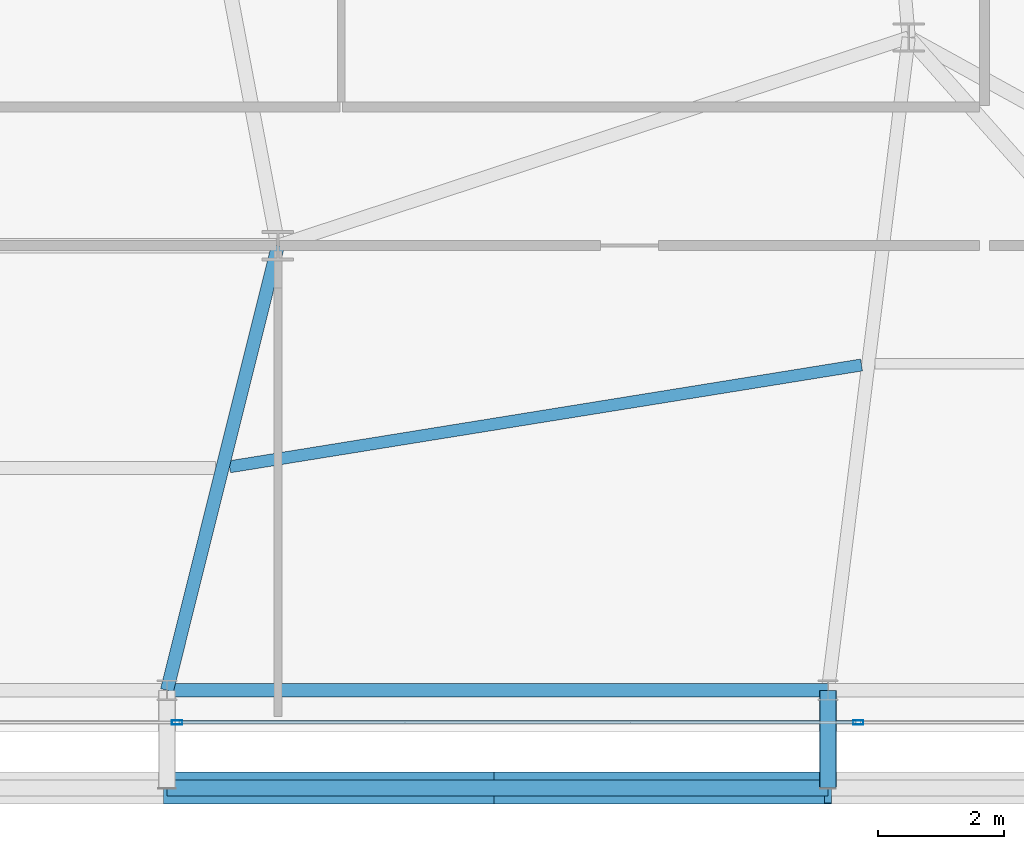
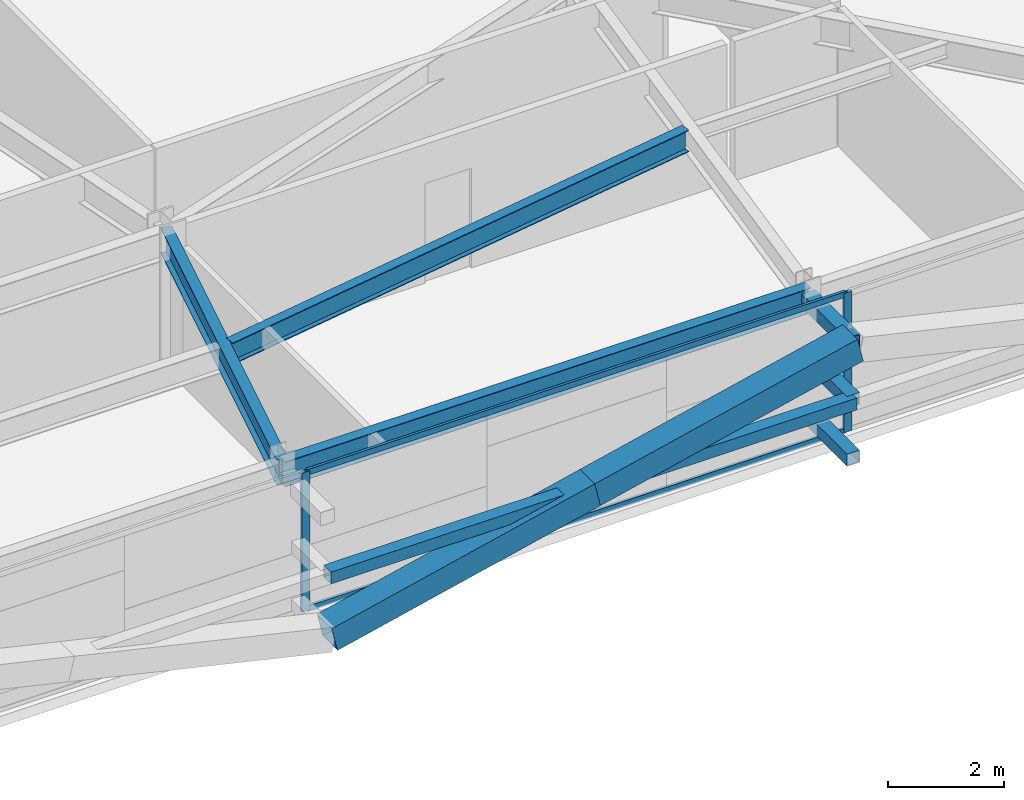
# One storey, part 13 of 44: 10 members, 3 beams, 1 element without a shape of its own.
"""IFC4 building model written with IfcOpenShell, lengths in metres."""

from ifc_helpers import new_model, si_unit, direction, frame, origin, origin_2d, place, context, subcontext, project, spatial, hollow_rectangle, i_section, extrude, source, transform, mapped, material, layer, layer_set, material_profile, profile_set, type_object, element, aggregate, save


model = new_model("IFC4")

# Units and contexts
model_context = context("Model", 3, precision=1e-05, world=origin(), true_north=direction((0.0, 1.0)))
body_context = subcontext(model_context, "Body", "Model", "MODEL_VIEW")
ifc_project = project(units=[si_unit("LENGTHUNIT", "METRE"), si_unit("AREAUNIT", "SQUARE_METRE"), si_unit("VOLUMEUNIT", "CUBIC_METRE"), si_unit("PLANEANGLEUNIT", "RADIAN"), si_unit("MASSUNIT", "GRAM", prefix="KILO")], contexts=[model_context])

# Site, building, storey
site_placement = place(None, origin())
site = spatial("IfcSite", under=ifc_project, at=site_placement, CompositionType="ELEMENT")
building_placement = place(site_placement, origin())
building = spatial("IfcBuilding", under=site, at=building_placement, Name="Taldren Reach Tower", CompositionType="ELEMENT")
storey_placement = place(building_placement, frame((0.0, 0.0, 38.85009765625)))
storey = spatial("IfcBuildingStorey", under=building, at=storey_placement, Name="L11", CompositionType="ELEMENT", Elevation=38.85009765625)

# Beams
ifc_material_1 = material(Name="Steel Gr 350 (350PLUS)", Category="steel")
ifc_material_profile_1 = material_profile(ifc_material_1, i_section(OverallWidth=0.208984375, OverallDepth=0.528076171875, WebThickness=0.009521484375, FlangeThickness=0.01318359375, at=origin_2d()), Name="530UB82.0")
ifc_profile_set_1 = profile_set([ifc_material_profile_1], Name="Steel Gr 350 (350PLUS)")
beam_type_1 = type_object("IfcBeamType", Name="SP-UB530B", PredefinedType="SPANDREL", material=ifc_profile_set_1)
shared_shape_1 = source(origin(), body_context, "Body", "SweptSolid", [
    extrude(i_section(OverallWidth=0.208984375, OverallDepth=0.528076171875, WebThickness=0.009521484375, FlangeThickness=0.01318359375, at=origin_2d()), origin(), (0.0, 0.0, 1.0), 10.47998046875),
])
beam_1_placement = place(storey_placement, frame((40.239990234375, 2.14990234375, 2.666015625), z_axis=(1.0, 0.0, 0.0), x_axis=(0.0, 1.0, 0.0)))
element("IfcBeam", 1, at=beam_1_placement, inside=storey, type_object=beam_type_1, Name="Perimeter spandrel B1 S4-S5 L11", PredefinedType="SPANDREL", context=body_context, shape_type="MappedRepresentation", body=[
    mapped(shared_shape_1, transform((0.0, 0.0, 0.0), scale=1.0)),
])
ifc_material_profile_2 = material_profile(ifc_material_1, i_section(OverallWidth=0.208984375, OverallDepth=0.532958984375, WebThickness=0.01025390625, FlangeThickness=0.015625, at=origin_2d()), Name="530UB92.4")
ifc_profile_set_2 = profile_set([ifc_material_profile_2], Name="Steel Gr 350 (350PLUS)")
beam_type_2 = type_object("IfcBeamType", Name="BM-UB530A", PredefinedType="BEAM", material=ifc_profile_set_2)
shared_shape_2 = source(origin(), body_context, "Body", "SweptSolid", [
    extrude(i_section(OverallWidth=0.208984375, OverallDepth=0.532958984375, WebThickness=0.01025390625, FlangeThickness=0.015625, at=origin_2d()), origin(), (0.0, 0.0, 1.0), 7.266357421875),
])
beam_2_placement = place(storey_placement, frame((42.0, 9.199951171875, 2.663330078125), z_axis=(-0.24221148493, -0.970223477642, 0.0), x_axis=(0.970223477642, -0.24221148493, 0.0)))
element("IfcBeam", 2, at=beam_2_placement, inside=storey, type_object=beam_type_2, Name="Primary floor girder B1-S4 L11", PredefinedType="BEAM", context=body_context, shape_type="MappedRepresentation", body=[
    mapped(shared_shape_2, transform((0.0, 0.0, 0.0), scale=1.0)),
])
ifc_material_profile_3 = material_profile(ifc_material_1, i_section(OverallWidth=0.19091796875, OverallDepth=0.4599609375, WebThickness=0.010009765625, FlangeThickness=0.01611328125, at=origin_2d()), Name="460UB82.1")
ifc_profile_set_3 = profile_set([ifc_material_profile_3], Name="Steel Gr 350 (350PLUS)")
beam_type_3 = type_object("IfcBeamType", Name="BM-UB460A", PredefinedType="BEAM", material=ifc_profile_set_3)
shared_shape_3 = source(origin(), body_context, "Body", "SweptSolid", [
    extrude(i_section(OverallWidth=0.19091796875, OverallDepth=0.4599609375, WebThickness=0.010009765625, FlangeThickness=0.01611328125, at=origin_2d()), origin(), (0.0, 0.0, 1.0), 10.1494140625),
])
beam_3_placement = place(storey_placement, frame((41.232177734375, 5.693115234375, 2.699951171875), z_axis=(0.987266967452, 0.159072106224, 0.0), x_axis=(-0.159072106224, 0.987266967452, 0.0)))
element("IfcBeam", 3, at=beam_3_placement, inside=storey, type_object=beam_type_3, Name="Secondary floor beam B1 J4 L11", PredefinedType="BEAM", context=body_context, shape_type="MappedRepresentation", body=[
    mapped(shared_shape_3, transform((0.0, 0.0, 0.0), scale=1.0)),
])

# Members
ifc_material_2 = material(Name="Steel Gr 450 (C450L0)", Category="steel")
ifc_material_profile_4 = material_profile(ifc_material_2, hollow_rectangle(XDim=0.27490234375, YDim=0.27490234375, WallThickness=0.00927734375, at=origin_2d()), Name="275x275x9.3SHS")
ifc_profile_set_4 = profile_set([ifc_material_profile_4], Name="Steel Gr 450 (C450L0)")
member_type_1 = type_object("IfcMemberType", Name="MB-TIE273", PredefinedType="STRUT", material=ifc_profile_set_4)
shared_shape_4 = source(origin(), body_context, "Body", "SweptSolid", [
    extrude(hollow_rectangle(XDim=0.27490234375, YDim=0.27490234375, WallThickness=0.00927734375, at=origin_2d()), origin(), (0.0, 0.0, 1.0), 1.5498046875),
])
member_1_placement = place(storey_placement, frame((50.719970703125, 2.14990234375, 2.64990234375), z_axis=(0.0, -1.0, 0.0), x_axis=(1.0, 0.0, 0.0)))
element("IfcMember", 4, at=member_1_placement, inside=storey, type_object=member_type_1, Name="Exoskeleton diaphragm tie strut B1-S5 L11", PredefinedType="STRUT", context=body_context, shape_type="MappedRepresentation", body=[
    mapped(shared_shape_4, transform((0.0, 0.0, 0.0), scale=1.0)),
])
ifc_material_profile_5 = material_profile(ifc_material_2, hollow_rectangle(XDim=0.510009765625, YDim=0.510009765625, WallThickness=0.02001953125, at=origin_2d()), Name="510x510x20.0SHS")
ifc_profile_set_5 = profile_set([ifc_material_profile_5], Name="Steel Gr 450 (C450L0)")
member_type_2 = type_object("IfcMemberType", Name="MB-EXO508", PredefinedType="BRACE", material=ifc_profile_set_5)
shared_shape_5 = source(origin(), body_context, "Body", "SweptSolid", [
    extrude(hollow_rectangle(XDim=0.510009765625, YDim=0.510009765625, WallThickness=0.02001953125, at=origin_2d()), origin(), (0.0, 0.0, 1.0), 5.37890625),
])
for number, where, z_axis, x_axis, name in (
    (5, (40.239990234375, 0.60009765625, 0.219970703125), (0.974161966843, 0.0, 0.225850531007), (0.0, 1.0, 0.0), "Exoskeleton Diagrid Brace B1-S4 L11"),
    (6, (45.47998046875, 0.60009765625, 1.434814453125), (0.97415197996, 0.0, 0.225893603143), (0.0, 1.0, 0.0), "Exoskeleton Diagrid Brace B1-S4 L11"),
):
    element("IfcMember", number, at=place(storey_placement, frame(where, z_axis=z_axis, x_axis=x_axis)), inside=storey, type_object=member_type_2, Name=name, PredefinedType="BRACE", context=body_context, shape_type="MappedRepresentation", body=[
        mapped(shared_shape_5, transform((0.0, 0.0, 0.0), scale=1.0)),
    ])
ifc_material_3 = material(Name="Steel Gr 350 (C350L0)", Category="steel")
ifc_material_profile_6 = material_profile(ifc_material_3, hollow_rectangle(XDim=0.25, YDim=0.25, WallThickness=0.010009765625, at=origin_2d()), Name="250x250x10.0SHS")
ifc_profile_set_6 = profile_set([ifc_material_profile_6], Name="Steel Gr 350 (C350L0)")
member_type_3 = type_object("IfcMemberType", Name="MB-POST250", PredefinedType="POST", material=ifc_profile_set_6)
shared_shape_6 = source(origin(), body_context, "Body", "SweptSolid", [
    extrude(hollow_rectangle(XDim=0.25, YDim=0.25, WallThickness=0.010009765625, at=origin_2d()), origin(), (0.0, 0.0, 1.0), 10.47998046875),
])
member_2_placement = place(storey_placement, frame((40.239990234375, 0.60009765625, 1.434814453125), z_axis=(1.0, 0.0, 0.0), x_axis=(0.0, 1.0, 0.0)))
element("IfcMember", 7, at=member_2_placement, inside=storey, type_object=member_type_3, Name="Exoskeleton mid-height ring chord B1-S4 L11", PredefinedType="POST", context=body_context, shape_type="MappedRepresentation", body=[
    mapped(shared_shape_6, transform((0.0, 0.0, 0.0), scale=1.0)),
])
shared_shape_7 = source(origin(), body_context, "Body", "SweptSolid", [
    extrude(hollow_rectangle(XDim=0.25, YDim=0.25, WallThickness=0.010009765625, at=origin_2d()), origin(), (0.0, 0.0, 1.0), 1.5498046875),
])
for number, where, z_axis, x_axis, name in (
    (8, (50.719970703125, 2.14990234375, 0.219970703125), (0.0, -1.0, 0.0), (1.0, 0.0, 0.0), "Exoskeleton base diaphragm tie strut B1-S5 L11"),
    (9, (50.719970703125, 2.14990234375, 1.434814453125), (0.0, -1.0, 0.0), (1.0, 0.0, 0.0), "Exoskeleton mid-tier diaphragm tie B1-S5 L11"),
):
    element("IfcMember", number, at=place(storey_placement, frame(where, z_axis=z_axis, x_axis=x_axis)), inside=storey, type_object=member_type_3, Name=name, PredefinedType="POST", context=body_context, shape_type="MappedRepresentation", body=[
        mapped(shared_shape_7, transform((0.0, 0.0, 0.0), scale=1.0)),
    ])

# Curtain wall, members
ifc_material_4 = material(Name="Aluminium and Low-E Glass Unitised System", Category="aluminium")
ifc_layer = layer(ifc_material_4, 0.159912109375)
ifc_layer_set = layer_set([ifc_layer], Name="Aluminium and Low-E Glass Unitised System")
curtain_wall_type = type_object("IfcCurtainWallType", Name="CW-SYS-2", PredefinedType="NOTDEFINED", material=ifc_layer_set)
curtain_wall_placement = place(storey_placement, origin())
curtain_wall = element("IfcCurtainWall", 10, at=curtain_wall_placement, inside=storey, type_object=curtain_wall_type, Name="Unitised curtain wall CW-L11-S", PredefinedType="NOTDEFINED")
ifc_material_5 = material(Name="Anodised Aluminium 6063-T6", Category="aluminium")
ifc_material_profile_7 = material_profile(ifc_material_5, hollow_rectangle(XDim=0.06494140625, YDim=0.1650390625, WallThickness=0.00390625, at=origin_2d()), Name="ALU-165x65x4RHS")
ifc_profile_set_7 = profile_set([ifc_material_profile_7], Name="Anodised Aluminium 6063-T6")
member_type_4 = type_object("IfcMemberType", Name="CW-MUL-165", PredefinedType="MULLION", material=ifc_profile_set_7)
shared_shape_8 = source(origin(), body_context, "Body", "SweptSolid", [
    extrude(hollow_rectangle(XDim=0.06494140625, YDim=0.1650390625, WallThickness=0.00390625, at=origin_2d()), origin(), (0.0, 0.0, 1.0), 2.929931640625),
])
member_3_placement = place(storey_placement, frame((40.39990234375, 1.639892578125, 0.0), z_axis=(0.0, 0.0, 1.0), x_axis=(0.0, 1.0, 0.0)))
member_3 = element("IfcMember", 11, at=member_3_placement, type_object=member_type_4, Name="CW-2 mullion 4", PredefinedType="MULLION", context=body_context, shape_type="MappedRepresentation", body=[
    mapped(shared_shape_8, transform((0.0, 0.0, 0.0), scale=1.0)),
])
member_4_placement = place(storey_placement, frame((51.199951171875, 1.639892578125, 0.0), z_axis=(0.0, 0.0, 1.0), x_axis=(0.0, 1.0, 0.0)))
member_4 = element("IfcMember", 12, at=member_4_placement, type_object=member_type_4, Name="CW-2 mullion 5", PredefinedType="MULLION", context=body_context, shape_type="MappedRepresentation", body=[
    mapped(shared_shape_8, transform((0.0, 0.0, 0.0), scale=1.0)),
])
ifc_material_profile_8 = material_profile(ifc_material_5, hollow_rectangle(XDim=0.054931640625, YDim=0.1201171875, WallThickness=0.0029296875, at=origin_2d()), Name="ALU-120x55x3RHS")
ifc_profile_set_8 = profile_set([ifc_material_profile_8], Name="Anodised Aluminium 6063-T6")
member_type_5 = type_object("IfcMemberType", Name="CW-TRN-135", PredefinedType="USERDEFINED", material=ifc_profile_set_8)
shared_shape_9 = source(origin(), body_context, "Body", "SweptSolid", [
    extrude(hollow_rectangle(XDim=0.054931640625, YDim=0.1201171875, WallThickness=0.0029296875, at=origin_2d()), origin(), (0.0, 0.0, 1.0), 10.73486328125),
])
member_5_placement = place(storey_placement, frame((40.4326171875, 1.639892578125, 0.02734375), z_axis=(1.0, 0.0, 0.0), x_axis=(0.0, 1.0, 0.0)))
member_5 = element("IfcMember", 13, at=member_5_placement, type_object=member_type_5, Name="CW-2 transom 4.1", ObjectType="TRANSOM", PredefinedType="USERDEFINED", context=body_context, shape_type="MappedRepresentation", body=[
    mapped(shared_shape_9, transform((0.0, 0.0, 0.0), scale=1.0)),
])
member_6_placement = place(storey_placement, frame((40.4326171875, 1.639892578125, 2.90234375), z_axis=(1.0, 0.0, 0.0), x_axis=(0.0, 1.0, 0.0)))
member_6 = element("IfcMember", 14, at=member_6_placement, type_object=member_type_5, Name="CW-2 transom 4.2", ObjectType="TRANSOM", PredefinedType="USERDEFINED", context=body_context, shape_type="MappedRepresentation", body=[
    mapped(shared_shape_9, transform((0.0, 0.0, 0.0), scale=1.0)),
])
aggregate(curtain_wall, [member_3, member_4, member_5, member_6])

save(model, "model.ifc")
